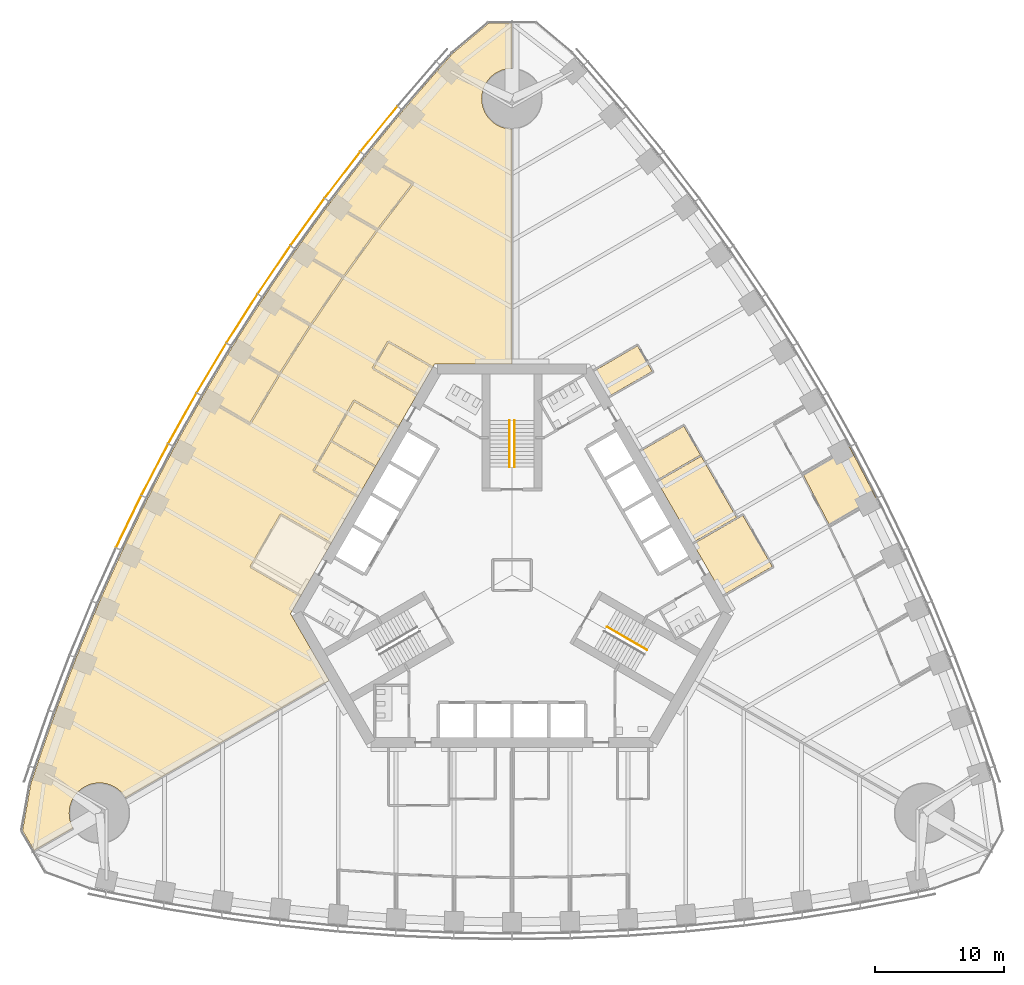
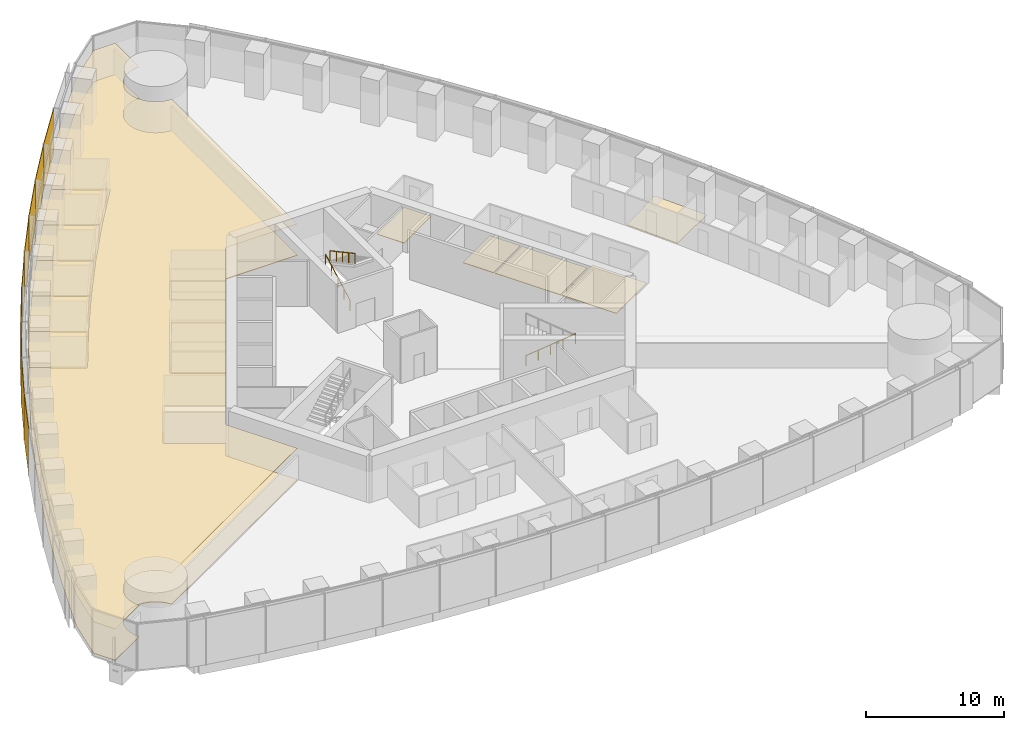
# One storey, part 15 of 18: 15 coverings, 9 shading devices, 3 railings.
"""IFC4 building model written with IfcOpenShell, lengths in metres."""

from ifc_helpers import new_model, si_unit, direction, frame, origin, origin_2d, place, context, subcontext, project, spatial, polyline, rectangle, circle, outline, extrude, material, layer, layer_set, type_object, element, save


model = new_model("IFC4")

# Units and contexts
model_context = context("Model", 3, precision=1e-05, world=origin(), true_north=direction((0.0, 1.0)))
body_context = subcontext(model_context, "Body", "Model", "MODEL_VIEW")
ifc_project = project(units=[si_unit("LENGTHUNIT", "METRE"), si_unit("AREAUNIT", "SQUARE_METRE"), si_unit("VOLUMEUNIT", "CUBIC_METRE"), si_unit("PLANEANGLEUNIT", "RADIAN"), si_unit("MASSUNIT", "GRAM", prefix="KILO")], contexts=[model_context])

# Site, building, storey
site_placement = place(None, origin())
site = spatial("IfcSite", under=ifc_project, at=site_placement, CompositionType="ELEMENT")
building_placement = place(site_placement, origin())
building = spatial("IfcBuilding", under=site, at=building_placement, Name="Trefoil Bronze Tower", CompositionType="ELEMENT")
storey_placement = place(building_placement, frame((0.0, 0.0, 29.10009765625)))
storey = spatial("IfcBuildingStorey", under=building, at=storey_placement, Name="L06", CompositionType="ELEMENT", Elevation=29.10009765625)

# Shading devices
ifc_material_1 = material(Name="Perforated bronze sheet", Category="bronze")
ifc_layer_1 = layer(ifc_material_1, 0.0400390625)
ifc_layer_set_1 = layer_set([ifc_layer_1], Name="Bronze solar screen panel")
shading_device_type = type_object("IfcShadingDeviceType", Name="Bronze solar screen panel", PredefinedType="SHUTTER", material=ifc_layer_set_1)
shading_device_1_placement = place(storey_placement, frame((-10.338623046875, 34.6474609375, 0.0498046875), z_axis=(0.0, 0.0, 1.0), x_axis=(-0.631810729457, -0.775122701346, 0.0)))
element("IfcShadingDevice", 1, at=shading_device_1_placement, inside=storey, type_object=shading_device_type, Name="Solar screen CW-A L06 F3 bay 3", PredefinedType="SHUTTER", context=body_context, shape_type="SweptSolid", body=[
    extrude(rectangle(XDim=4.5283203125, YDim=0.0400390625, at=origin_2d()), origin(), (0.0, 0.0, 1.0), 4.10009765625),
])
shading_device_2_placement = place(storey_placement, frame((-13.170166015625, 31.06787109375, 0.0498046875), z_axis=(0.0, 0.0, 1.0), x_axis=(-0.608807670879, -0.793317855515, 0.0)))
element("IfcShadingDevice", 2, at=shading_device_2_placement, inside=storey, type_object=shading_device_type, Name="Solar screen CW-A L06 F3 bay 4", PredefinedType="SHUTTER", context=body_context, shape_type="SweptSolid", body=[
    extrude(rectangle(XDim=4.5087890625, YDim=0.0400390625, at=origin_2d()), origin(), (0.0, 0.0, 1.0), 4.10009765625),
])
shading_device_3_placement = place(storey_placement, frame((-15.88525390625, 27.421142578125, 0.0498046875), z_axis=(0.0, 0.0, 1.0), x_axis=(-0.585372522213, -0.810764460394, 0.0)))
element("IfcShadingDevice", 3, at=shading_device_3_placement, inside=storey, type_object=shading_device_type, Name="Solar screen CW-A L06 F3 bay 5", PredefinedType="SHUTTER", context=body_context, shape_type="SweptSolid", body=[
    extrude(rectangle(XDim=4.493408203125, YDim=0.0400390625, at=origin_2d()), origin(), (0.0, 0.0, 1.0), 4.10009765625),
])
shading_device_4_placement = place(storey_placement, frame((-18.48486328125, 23.707763671875, 0.0498046875), z_axis=(0.0, 0.0, 1.0), x_axis=(-0.56150968077, -0.827470167681, 0.0)))
element("IfcShadingDevice", 4, at=shading_device_4_placement, inside=storey, type_object=shading_device_type, Name="Solar screen CW-A L06 F3 bay 6", PredefinedType="SHUTTER", context=body_context, shape_type="SweptSolid", body=[
    extrude(rectangle(XDim=4.48193359375, YDim=0.0400390625, at=origin_2d()), origin(), (0.0, 0.0, 1.0), 4.10009765625),
])
shading_device_5_placement = place(storey_placement, frame((-20.97021484375, 19.928466796875, 0.0498046875), z_axis=(0.0, 0.0, 1.0), x_axis=(-0.537222392469, -0.843440632783, 0.0)))
element("IfcShadingDevice", 5, at=shading_device_5_placement, inside=storey, type_object=shading_device_type, Name="Solar screen CW-A L06 F3 bay 7", PredefinedType="SHUTTER", context=body_context, shape_type="SweptSolid", body=[
    extrude(rectangle(XDim=4.474365234375, YDim=0.0400390625, at=origin_2d()), origin(), (0.0, 0.0, 1.0), 4.10009765625),
])
for number, where, z_axis, x_axis, name in (
    (6, (-23.341552734375, 16.083251953125, 0.0498046875), (0.0, 0.0, 1.0), (-0.51251279404, -0.858679588639, 0.0), "Solar screen CW-A L06 F3 bay 8"),
    (7, (-25.599365234375, 12.172607421875, 0.0498046875), (0.0, 0.0, 1.0), (-0.487381940453, -0.873188893722, 0.0), "Solar screen CW-A L06 F3 bay 9"),
):
    element("IfcShadingDevice", number, at=place(storey_placement, frame(where, z_axis=z_axis, x_axis=x_axis)), inside=storey, type_object=shading_device_type, Name=name, PredefinedType="SHUTTER", context=body_context, shape_type="SweptSolid", body=[
        extrude(rectangle(XDim=4.470458984375, YDim=0.0400390625, at=origin_2d()), origin(), (0.0, 0.0, 1.0), 4.10009765625),
    ])
shading_device_6_placement = place(storey_placement, frame((-27.74365234375, 8.1962890625, 0.0498046875), z_axis=(0.0, 0.0, 1.0), x_axis=(-0.46182981834, -0.886968555752, 0.0)))
element("IfcShadingDevice", 8, at=shading_device_6_placement, inside=storey, type_object=shading_device_type, Name="Solar screen CW-A L06 F3 bay 10", PredefinedType="SHUTTER", context=body_context, shape_type="SweptSolid", body=[
    extrude(rectangle(XDim=4.474365234375, YDim=0.0400390625, at=origin_2d()), origin(), (0.0, 0.0, 1.0), 4.10009765625),
])
shading_device_7_placement = place(storey_placement, frame((-29.77392578125, 4.154541015625, 0.0498046875), z_axis=(0.0, 0.0, 1.0), x_axis=(-0.4358553457, -0.900016731858, 0.0)))
element("IfcShadingDevice", 9, at=shading_device_7_placement, inside=storey, type_object=shading_device_type, Name="Solar screen CW-A L06 F3 bay 11", PredefinedType="SHUTTER", context=body_context, shape_type="SweptSolid", body=[
    extrude(rectangle(XDim=4.48193359375, YDim=0.0400390625, at=origin_2d()), origin(), (0.0, 0.0, 1.0), 4.10009765625),
])

# Railings
ifc_material_2 = material(Name="Steel handrail", Category="steel")
railing_type = type_object("IfcRailingType", Name="Handrail 900", PredefinedType="HANDRAIL", material=ifc_material_2)
railing_1_placement = place(storey_placement, frame((7.365966796875, -4.021728515625, 0.161376953125)))
element("IfcRailing", 10, at=railing_1_placement, inside=storey, type_object=railing_type, Name="Handrail ST1 flight 1 L06", PredefinedType="HANDRAIL", context=body_context, shape_type="SweptSolid", body=[
    extrude(circle(Radius=0.02392578125, at=origin_2d()), frame((0.0, 0.0, 0.8759765625), z_axis=(0.76250339821, -0.440245697338, 0.474101564745), x_axis=(0.500012057535, 0.866018442252, 0.0)), (0.0, 0.0, 1.0), 4.088623046875),
    extrude(circle(Radius=0.02099609375, at=origin_2d()), origin(), (0.0, 0.0, 1.0), 0.851806640625),
    extrude(circle(Radius=0.02099609375, at=origin_2d()), frame((0.779296875, -0.449951171875, 0.484619140625)), (0.0, 0.0, 1.0), 0.851806640625),
    extrude(circle(Radius=0.02099609375, at=origin_2d()), frame((1.558837890625, -0.89990234375, 0.96923828125)), (0.0, 0.0, 1.0), 0.851806640625),
    extrude(circle(Radius=0.02099609375, at=origin_2d()), frame((2.33837890625, -1.35009765625, 1.453857421875)), (0.0, 0.0, 1.0), 0.851806640625),
    extrude(circle(Radius=0.02099609375, at=origin_2d()), frame((3.11767578125, -1.800048828125, 1.9384765625)), (0.0, 0.0, 1.0), 0.851806640625),
])
railing_2_placement = place(storey_placement, frame((-0.199951171875, 8.389892578125, 0.161376953125)))
element("IfcRailing", 11, at=railing_2_placement, inside=storey, type_object=railing_type, Name="Handrail ST2 flight 1 L06", PredefinedType="HANDRAIL", context=body_context, shape_type="SweptSolid", body=[
    extrude(circle(Radius=0.02392578125, at=origin_2d()), frame((0.0, 0.0, 0.8759765625), z_axis=(0.0, 0.880474934443, 0.474092701714), x_axis=(-1.0, 0.0, 0.0)), (0.0, 0.0, 1.0), 4.0888671875),
    extrude(circle(Radius=0.02099609375, at=origin_2d()), origin(), (0.0, 0.0, 1.0), 0.851806640625),
    extrude(circle(Radius=0.02099609375, at=origin_2d()), frame((0.0, 0.89990234375, 0.484619140625)), (0.0, 0.0, 1.0), 0.851806640625),
    extrude(circle(Radius=0.02099609375, at=origin_2d()), frame((0.0, 1.800048828125, 0.96923828125)), (0.0, 0.0, 1.0), 0.851806640625),
    extrude(circle(Radius=0.02099609375, at=origin_2d()), frame((0.0, 2.7001953125, 1.453857421875)), (0.0, 0.0, 1.0), 0.851806640625),
    extrude(circle(Radius=0.02099609375, at=origin_2d()), frame((0.0, 3.60009765625, 1.9384765625)), (0.0, 0.0, 1.0), 0.851806640625),
])
railing_3_placement = place(storey_placement, frame((0.199951171875, 11.989990234375, 2.261474609375)))
element("IfcRailing", 12, at=railing_3_placement, inside=storey, type_object=railing_type, Name="Handrail ST2 flight 2 L06", PredefinedType="HANDRAIL", context=body_context, shape_type="SweptSolid", body=[
    extrude(circle(Radius=0.02392578125, at=origin_2d()), frame((0.0, 0.0, 0.8759765625), z_axis=(0.0, -0.880474934443, 0.474092701714), x_axis=(1.0, 0.0, 0.0)), (0.0, 0.0, 1.0), 4.0888671875),
    extrude(circle(Radius=0.02099609375, at=origin_2d()), origin(), (0.0, 0.0, 1.0), 0.851806640625),
    extrude(circle(Radius=0.02099609375, at=origin_2d()), frame((0.0, -0.89990234375, 0.484619140625)), (0.0, 0.0, 1.0), 0.851806640625),
    extrude(circle(Radius=0.02099609375, at=origin_2d()), frame((0.0, -1.800048828125, 0.96923828125)), (0.0, 0.0, 1.0), 0.851806640625),
    extrude(circle(Radius=0.02099609375, at=origin_2d()), frame((0.0, -2.7001953125, 1.453857421875)), (0.0, 0.0, 1.0), 0.851806640625),
    extrude(circle(Radius=0.02099609375, at=origin_2d()), frame((0.0, -3.60009765625, 1.9384765625)), (0.0, 0.0, 1.0), 0.851806640625),
])

# Coverings
ifc_material_3 = material(Name="Acoustic ceiling panels", Category="mineral fibre")
ifc_layer_2 = layer(ifc_material_3, 0.02001953125)
ifc_layer_set_2 = layer_set([ifc_layer_2], Name="Office ceiling 20")
covering_type_1 = type_object("IfcCoveringType", Name="Office ceiling 20", PredefinedType="CEILING", material=ifc_layer_set_2)
covering_1_placement = place(storey_placement, frame((0.0, 0.0, 2.89990234375)))
element("IfcCovering", 13, at=covering_1_placement, inside=storey, type_object=covering_type_1, Name="Ceiling L06 Open-plan office F3", PredefinedType="CEILING", context=body_context, shape_type="SweptSolid", body=[
    extrude(outline(polyline([(-36.9814453125, -15.021728515625), (-35.47998046875, -10.6923828125), (-33.860107421875, -6.431640625), (-32.123291015625, -2.23828125), (-30.271240234375, 1.888671875), (-28.3046875, 5.949462890625), (-26.224609375, 9.944580078125), (-24.031005859375, 13.87451171875), (-21.724609375, 17.73876953125), (-19.3046875, 21.537841796875), (-16.771240234375, 25.271484375), (-14.123291015625, 28.938720703125), (-11.360107421875, 32.53955078125), (-8.47998046875, 36.072998046875), (-5.4814453125, 39.537841796875), (-4.618896484375, 40.497314453125), (-1.82421875, 42.84228515625), (-0.01611328125, 42.84228515625), (-0.014892578125, 39.349609375), (-0.115234375, 39.34716796875), (-0.230224609375, 39.338623046875), (-0.3447265625, 39.32470703125), (-0.45849609375, 39.3046875), (-0.571044921875, 39.279541015625), (-0.68212890625, 39.248779296875), (-0.791748046875, 39.212646484375), (-0.8994140625, 39.171142578125), (-1.0048828125, 39.12451171875), (-1.10791015625, 39.072509765625), (-1.2080078125, 39.015625), (-1.3056640625, 38.9541015625), (-1.39990234375, 38.887451171875), (-1.49072265625, 38.816650390625), (-1.578125, 38.7412109375), (-1.66162109375, 38.66162109375), (-1.7412109375, 38.578125), (-1.816650390625, 38.49072265625), (-1.887451171875, 38.39990234375), (-1.9541015625, 38.3056640625), (-2.015625, 38.2080078125), (-2.072509765625, 38.10791015625), (-2.12451171875, 38.0048828125), (-2.171142578125, 37.8994140625), (-2.212646484375, 37.791748046875), (-2.248779296875, 37.68212890625), (-2.279541015625, 37.571044921875), (-2.3046875, 37.45849609375), (-2.32470703125, 37.3447265625), (-2.338623046875, 37.230224609375), (-2.34716796875, 37.115234375), (-2.35009765625, 37.0), (-2.34716796875, 36.884765625), (-2.338623046875, 36.769775390625), (-2.32470703125, 36.6552734375), (-2.3046875, 36.54150390625), (-2.279541015625, 36.428955078125), (-2.248779296875, 36.31787109375), (-2.212646484375, 36.208251953125), (-2.171142578125, 36.1005859375), (-2.12451171875, 35.9951171875), (-2.072509765625, 35.89208984375), (-2.015625, 35.7919921875), (-1.9541015625, 35.6943359375), (-1.887451171875, 35.60009765625), (-1.816650390625, 35.50927734375), (-1.7412109375, 35.421875), (-1.66162109375, 35.33837890625), (-1.578125, 35.2587890625), (-1.49072265625, 35.183349609375), (-1.39990234375, 35.112548828125), (-1.3056640625, 35.0458984375), (-1.2080078125, 34.984375), (-1.10791015625, 34.927490234375), (-1.0048828125, 34.87548828125), (-0.8994140625, 34.828857421875), (-0.791748046875, 34.787353515625), (-0.68212890625, 34.751220703125), (-0.571044921875, 34.720458984375), (-0.45849609375, 34.6953125), (-0.3447265625, 34.67529296875), (-0.230224609375, 34.661376953125), (-0.115234375, 34.65283203125), (-0.012939453125, 34.650390625), (-0.006103515625, 16.39990234375), (-6.00439453125, 16.39990234375), (-17.205078125, -3.0), (-14.205810546875, -8.194580078125), (-30.0146484375, -17.31396484375), (-30.02734375, -17.2919921875), (-30.089111328125, -17.1943359375), (-30.155517578125, -17.10009765625), (-30.226318359375, -17.00927734375), (-30.3017578125, -16.921875), (-30.381103515625, -16.83837890625), (-30.46484375, -16.7587890625), (-30.552001953125, -16.683349609375), (-30.64306640625, -16.612548828125), (-30.7373046875, -16.5458984375), (-30.834716796875, -16.484375), (-30.935302734375, -16.427490234375), (-31.0380859375, -16.37548828125), (-31.1435546875, -16.328857421875), (-31.251220703125, -16.287353515625), (-31.36083984375, -16.251220703125), (-31.471923828125, -16.220458984375), (-31.58447265625, -16.1953125), (-31.697998046875, -16.17529296875), (-31.8125, -16.161376953125), (-31.927490234375, -16.15283203125), (-32.04296875, -16.14990234375), (-32.158203125, -16.15283203125), (-32.273193359375, -16.161376953125), (-32.3876953125, -16.17529296875), (-32.50146484375, -16.1953125), (-32.614013671875, -16.220458984375), (-32.72509765625, -16.251220703125), (-32.834716796875, -16.287353515625), (-32.942138671875, -16.328857421875), (-33.047607421875, -16.37548828125), (-33.150634765625, -16.427490234375), (-33.251220703125, -16.484375), (-33.348388671875, -16.5458984375), (-33.44287109375, -16.612548828125), (-33.53369140625, -16.683349609375), (-33.62109375, -16.7587890625), (-33.70458984375, -16.83837890625), (-33.7841796875, -16.921875), (-33.859619140625, -17.00927734375), (-33.930419921875, -17.10009765625), (-33.996826171875, -17.1943359375), (-34.05859375, -17.2919921875), (-34.115478515625, -17.39208984375), (-34.167236328125, -17.4951171875), (-34.214111328125, -17.6005859375), (-34.255615234375, -17.708251953125), (-34.291748046875, -17.81787109375), (-34.322509765625, -17.928955078125), (-34.347900390625, -18.04150390625), (-34.367431640625, -18.1552734375), (-34.381591796875, -18.269775390625), (-34.39013671875, -18.384765625), (-34.392822265625, -18.5), (-34.39013671875, -18.615234375), (-34.381591796875, -18.730224609375), (-34.367431640625, -18.8447265625), (-34.347900390625, -18.95849609375), (-34.322509765625, -19.071044921875), (-34.291748046875, -19.18212890625), (-34.255615234375, -19.291748046875), (-34.214111328125, -19.3994140625), (-34.167236328125, -19.5048828125), (-34.115478515625, -19.60791015625), (-34.084716796875, -19.661865234375), (-37.110595703125, -21.4072265625), (-38.0146484375, -19.841552734375), (-37.381103515625, -16.248779296875), (-36.9814453125, -15.021728515625)])), origin(), (0.0, 0.0, 1.0), 0.02001953125),
])
ifc_material_4 = material(Name="Raised access floor panels", Category="steel")
ifc_layer_3 = layer(ifc_material_4, 0.050048828125)
ifc_layer_set_3 = layer_set([ifc_layer_3], Name="Raised access floor 150")
covering_type_2 = type_object("IfcCoveringType", Name="Raised access floor 150", PredefinedType="FLOORING", material=ifc_layer_set_3)
covering_2_placement = place(storey_placement, frame((0.0, 0.0, 0.099853515625)))
element("IfcCovering", 14, at=covering_2_placement, inside=storey, type_object=covering_type_2, Name="Raised floor L06 Reception F2", PredefinedType="FLOORING", context=body_context, shape_type="SweptSolid", body=[
    extrude(outline(polyline([(14.084716796875, 2.404541015625), (17.929931640625, 4.62451171875), (20.219970703125, 0.658203125), (16.374755859375, -1.56201171875), (14.084716796875, 2.404541015625)])), origin(), (0.0, 0.0, 1.0), 0.050048828125),
])
covering_3_placement = place(storey_placement, frame((0.0, 0.0, 0.099853515625)))
element("IfcCovering", 15, at=covering_3_placement, inside=storey, type_object=covering_type_2, Name="Raised floor L06 Meeting room F2", PredefinedType="FLOORING", context=body_context, shape_type="SweptSolid", body=[
    extrude(outline(polyline([(11.28466796875, 7.25439453125), (14.697021484375, 9.224365234375), (17.43701171875, 4.478515625), (14.024658203125, 2.50830078125), (11.28466796875, 7.25439453125)])), origin(), (0.0, 0.0, 1.0), 0.050048828125),
])
covering_4_placement = place(storey_placement, frame((0.0, 0.0, 0.099853515625)))
element("IfcCovering", 16, at=covering_4_placement, inside=storey, type_object=covering_type_2, Name="Raised floor L06 Pantry F2", PredefinedType="FLOORING", context=body_context, shape_type="SweptSolid", body=[
    extrude(outline(polyline([(9.934814453125, 9.592529296875), (13.346923828125, 11.5625), (14.636962890625, 9.328125), (11.224609375, 7.358154296875), (9.934814453125, 9.592529296875)])), origin(), (0.0, 0.0, 1.0), 0.050048828125),
])
covering_5_placement = place(storey_placement, frame((0.0, 0.0, 0.099853515625)))
element("IfcCovering", 17, at=covering_5_placement, inside=storey, type_object=covering_type_2, Name="Raised floor L06 Comms room F2", PredefinedType="FLOORING", context=body_context, shape_type="SweptSolid", body=[
    extrude(outline(polyline([(6.334716796875, 15.827880859375), (9.746826171875, 17.7978515625), (10.886962890625, 15.823486328125), (7.474609375, 13.853515625), (6.334716796875, 15.827880859375)])), origin(), (0.0, 0.0, 1.0), 0.050048828125),
])
covering_6_placement = place(storey_placement, frame((0.0, 0.0, 0.099853515625)))
element("IfcCovering", 18, at=covering_6_placement, inside=storey, type_object=covering_type_2, Name="Raised floor L06 Office F2", PredefinedType="FLOORING", context=body_context, shape_type="SweptSolid", body=[
    extrude(outline(polyline([(26.224609375, 9.944580078125), (28.3046875, 5.949462890625), (26.93408203125, 5.158203125), (26.904052734375, 5.210205078125), (24.6484375, 3.90771484375), (22.623779296875, 7.79638671875), (24.885498046875, 9.102294921875), (24.855712890625, 9.154296875), (26.224609375, 9.944580078125)])), origin(), (0.0, 0.0, 1.0), 0.050048828125),
])
covering_7_placement = place(storey_placement, frame((0.0, 0.0, 0.099853515625)))
element("IfcCovering", 19, at=covering_7_placement, inside=storey, type_object=covering_type_2, Name="Raised floor L06 Meeting room F3", PredefinedType="FLOORING", context=body_context, shape_type="SweptSolid", body=[
    extrude(outline(polyline([(-10.57470703125, 8.48388671875), (-13.98681640625, 10.4541015625), (-12.246826171875, 13.4677734375), (-8.834716796875, 11.497802734375), (-10.57470703125, 8.48388671875)])), origin(), (0.0, 0.0, 1.0), 0.050048828125),
])
covering_8_placement = place(storey_placement, frame((0.0, 0.0, 0.099853515625)))
element("IfcCovering", 20, at=covering_8_placement, inside=storey, type_object=covering_type_2, Name="Raised floor L06 Pantry F3", PredefinedType="FLOORING", context=body_context, shape_type="SweptSolid", body=[
    extrude(outline(polyline([(-11.9248046875, 6.145751953125), (-15.3369140625, 8.11572265625), (-14.046875, 10.35009765625), (-10.634765625, 8.380126953125), (-11.9248046875, 6.145751953125)])), origin(), (0.0, 0.0, 1.0), 0.050048828125),
])
covering_9_placement = place(storey_placement, frame((0.0, 0.0, 0.099853515625)))
element("IfcCovering", 21, at=covering_9_placement, inside=storey, type_object=covering_type_2, Name="Raised floor L06 Comms room F3", PredefinedType="FLOORING", context=body_context, shape_type="SweptSolid", body=[
    extrude(outline(polyline([(-7.32470703125, 14.11328125), (-10.73681640625, 16.083251953125), (-9.596923828125, 18.0576171875), (-6.184814453125, 16.087646484375), (-7.32470703125, 14.11328125)])), origin(), (0.0, 0.0, 1.0), 0.050048828125),
])
covering_10_placement = place(storey_placement, frame((0.0, 0.0, 0.099853515625)))
element("IfcCovering", 22, at=covering_10_placement, inside=storey, type_object=covering_type_2, Name="Raised floor L06 Office F3", PredefinedType="FLOORING", context=body_context, shape_type="SweptSolid", body=[
    extrude(outline(polyline([(-14.123291015625, 28.938720703125), (-11.360107421875, 32.53955078125), (-9.977294921875, 31.7412109375), (-10.007080078125, 31.689208984375), (-7.768798828125, 30.396728515625), (-10.45849609375, 26.89208984375), (-12.7158203125, 28.1953125), (-12.745849609375, 28.143310546875), (-14.123291015625, 28.938720703125)])), origin(), (0.0, 0.0, 1.0), 0.050048828125),
])
covering_11_placement = place(storey_placement, frame((0.0, 0.0, 0.099853515625)))
element("IfcCovering", 23, at=covering_11_placement, inside=storey, type_object=covering_type_2, Name="Raised floor L06 Office F3", PredefinedType="FLOORING", context=body_context, shape_type="SweptSolid", body=[
    extrude(outline(polyline([(-14.123291015625, 28.938720703125), (-12.745849609375, 28.143310546875), (-12.77587890625, 28.091552734375), (-10.5302734375, 26.794921875), (-13.107666015625, 23.225341796875), (-15.367919921875, 24.5302734375), (-15.397705078125, 24.478515625), (-16.771240234375, 25.271484375), (-14.123291015625, 28.938720703125)])), origin(), (0.0, 0.0, 1.0), 0.050048828125),
])
covering_12_placement = place(storey_placement, frame((0.0, 0.0, 0.099853515625)))
element("IfcCovering", 24, at=covering_12_placement, inside=storey, type_object=covering_type_2, Name="Raised floor L06 Office F3", PredefinedType="FLOORING", context=body_context, shape_type="SweptSolid", body=[
    extrude(outline(polyline([(-19.3046875, 21.537841796875), (-16.771240234375, 25.271484375), (-15.397705078125, 24.478515625), (-15.427734375, 24.426513671875), (-13.176513671875, 23.126708984375), (-15.642578125, 19.492919921875), (-17.904052734375, 20.798583984375), (-17.93408203125, 20.74658203125), (-19.3046875, 21.537841796875)])), origin(), (0.0, 0.0, 1.0), 0.050048828125),
])
covering_13_placement = place(storey_placement, frame((0.0, 0.0, 0.099853515625)))
element("IfcCovering", 25, at=covering_13_placement, inside=storey, type_object=covering_type_2, Name="Raised floor L06 Office F3", PredefinedType="FLOORING", context=body_context, shape_type="SweptSolid", body=[
    extrude(outline(polyline([(-19.3046875, 21.537841796875), (-17.93408203125, 20.74658203125), (-17.964111328125, 20.694580078125), (-15.70849609375, 19.392333984375), (-18.063720703125, 15.694580078125), (-20.32568359375, 17.00048828125), (-20.355712890625, 16.948486328125), (-21.724609375, 17.73876953125), (-19.3046875, 21.537841796875)])), origin(), (0.0, 0.0, 1.0), 0.050048828125),
])
covering_14_placement = place(storey_placement, frame((0.0, 0.0, 0.099853515625)))
element("IfcCovering", 26, at=covering_14_placement, inside=storey, type_object=covering_type_2, Name="Raised floor L06 Meeting room F3", PredefinedType="FLOORING", context=body_context, shape_type="SweptSolid", body=[
    extrude(outline(polyline([(-24.031005859375, 13.87451171875), (-21.724609375, 17.73876953125), (-20.355712890625, 16.948486328125), (-20.385498046875, 16.896484375), (-18.126708984375, 15.59228515625), (-20.37158203125, 11.830810546875), (-22.6328125, 13.13623046875), (-22.662841796875, 13.08447265625), (-24.031005859375, 13.87451171875)])), origin(), (0.0, 0.0, 1.0), 0.050048828125),
])
covering_15_placement = place(storey_placement, frame((0.0, 0.0, 0.099853515625)))
element("IfcCovering", 27, at=covering_15_placement, inside=storey, type_object=covering_type_2, Name="Raised floor L06 Open-plan office F3", PredefinedType="FLOORING", context=body_context, shape_type="SweptSolid", body=[
    extrude(outline(polyline([(-26.224609375, 9.944580078125), (-24.031005859375, 13.87451171875), (-22.662841796875, 13.08447265625), (-22.69287109375, 13.032470703125), (-20.380615234375, 11.697509765625), (-20.3505859375, 11.74951171875), (-20.299072265625, 11.718505859375), (-17.992919921875, 15.582275390625), (-15.573974609375, 19.3798828125), (-13.04150390625, 23.11181640625), (-10.394775390625, 26.77783203125), (-7.6318359375, 30.3779296875), (-7.679443359375, 30.41455078125), (-7.6494140625, 30.466552734375), (-9.947265625, 31.793212890625), (-9.977294921875, 31.7412109375), (-11.360107421875, 32.53955078125), (-8.47998046875, 36.072998046875), (-5.4814453125, 39.537841796875), (-4.618896484375, 40.497314453125), (-1.82421875, 42.84228515625), (-0.01611328125, 42.84228515625), (-0.014892578125, 39.349609375), (-0.115234375, 39.34716796875), (-0.230224609375, 39.338623046875), (-0.3447265625, 39.32470703125), (-0.45849609375, 39.3046875), (-0.571044921875, 39.279541015625), (-0.68212890625, 39.248779296875), (-0.791748046875, 39.212646484375), (-0.8994140625, 39.171142578125), (-1.0048828125, 39.12451171875), (-1.10791015625, 39.072509765625), (-1.2080078125, 39.015625), (-1.3056640625, 38.9541015625), (-1.39990234375, 38.887451171875), (-1.49072265625, 38.816650390625), (-1.578125, 38.7412109375), (-1.66162109375, 38.66162109375), (-1.7412109375, 38.578125), (-1.816650390625, 38.49072265625), (-1.887451171875, 38.39990234375), (-1.9541015625, 38.3056640625), (-2.015625, 38.2080078125), (-2.072509765625, 38.10791015625), (-2.12451171875, 38.0048828125), (-2.171142578125, 37.8994140625), (-2.212646484375, 37.791748046875), (-2.248779296875, 37.68212890625), (-2.279541015625, 37.571044921875), (-2.3046875, 37.45849609375), (-2.32470703125, 37.3447265625), (-2.338623046875, 37.230224609375), (-2.34716796875, 37.115234375), (-2.35009765625, 37.0), (-2.34716796875, 36.884765625), (-2.338623046875, 36.769775390625), (-2.32470703125, 36.6552734375), (-2.3046875, 36.54150390625), (-2.279541015625, 36.428955078125), (-2.248779296875, 36.31787109375), (-2.212646484375, 36.208251953125), (-2.171142578125, 36.1005859375), (-2.12451171875, 35.9951171875), (-2.072509765625, 35.89208984375), (-2.015625, 35.7919921875), (-1.9541015625, 35.6943359375), (-1.887451171875, 35.60009765625), (-1.816650390625, 35.50927734375), (-1.7412109375, 35.421875), (-1.66162109375, 35.33837890625), (-1.578125, 35.2587890625), (-1.49072265625, 35.183349609375), (-1.39990234375, 35.112548828125), (-1.3056640625, 35.0458984375), (-1.2080078125, 34.984375), (-1.10791015625, 34.927490234375), (-1.0048828125, 34.87548828125), (-0.8994140625, 34.828857421875), (-0.791748046875, 34.787353515625), (-0.68212890625, 34.751220703125), (-0.571044921875, 34.720458984375), (-0.45849609375, 34.6953125), (-0.3447265625, 34.67529296875), (-0.230224609375, 34.661376953125), (-0.115234375, 34.65283203125), (-0.012939453125, 34.650390625), (-0.006103515625, 16.39990234375), (-6.00439453125, 16.39990234375), (-6.124755859375, 16.191650390625), (-9.5888671875, 18.191650390625), (-9.618896484375, 18.1396484375), (-9.6708984375, 18.169677734375), (-10.870849609375, 16.09130859375), (-10.81884765625, 16.061279296875), (-10.848876953125, 16.00927734375), (-7.384765625, 14.00927734375), (-8.774658203125, 11.601806640625), (-12.23876953125, 13.601806640625), (-12.268798828125, 13.5498046875), (-12.32080078125, 13.57958984375), (-15.470703125, 8.123779296875), (-15.418701171875, 8.09375), (-15.44873046875, 8.041748046875), (-11.984619140625, 6.041748046875), (-14.024658203125, 2.50830078125), (-17.921875, 4.75830078125), (-17.951904296875, 4.70654296875), (-18.00390625, 4.736572265625), (-20.353759765625, 0.666259765625), (-20.302001953125, 0.63623046875), (-20.331787109375, 0.584228515625), (-16.434814453125, -1.665771484375), (-17.205078125, -3.0), (-14.205810546875, -8.194580078125), (-30.0146484375, -17.31396484375), (-30.02734375, -17.2919921875), (-30.089111328125, -17.1943359375), (-30.155517578125, -17.10009765625), (-30.226318359375, -17.00927734375), (-30.3017578125, -16.921875), (-30.381103515625, -16.83837890625), (-30.46484375, -16.7587890625), (-30.552001953125, -16.683349609375), (-30.64306640625, -16.612548828125), (-30.7373046875, -16.5458984375), (-30.834716796875, -16.484375), (-30.935302734375, -16.427490234375), (-31.0380859375, -16.37548828125), (-31.1435546875, -16.328857421875), (-31.251220703125, -16.287353515625), (-31.36083984375, -16.251220703125), (-31.471923828125, -16.220458984375), (-31.58447265625, -16.1953125), (-31.697998046875, -16.17529296875), (-31.8125, -16.161376953125), (-31.927490234375, -16.15283203125), (-32.04296875, -16.14990234375), (-32.158203125, -16.15283203125), (-32.273193359375, -16.161376953125), (-32.3876953125, -16.17529296875), (-32.50146484375, -16.1953125), (-32.614013671875, -16.220458984375), (-32.72509765625, -16.251220703125), (-32.834716796875, -16.287353515625), (-32.942138671875, -16.328857421875), (-33.047607421875, -16.37548828125), (-33.150634765625, -16.427490234375), (-33.251220703125, -16.484375), (-33.348388671875, -16.5458984375), (-33.44287109375, -16.612548828125), (-33.53369140625, -16.683349609375), (-33.62109375, -16.7587890625), (-33.70458984375, -16.83837890625), (-33.7841796875, -16.921875), (-33.859619140625, -17.00927734375), (-33.930419921875, -17.10009765625), (-33.996826171875, -17.1943359375), (-34.05859375, -17.2919921875), (-34.115478515625, -17.39208984375), (-34.167236328125, -17.4951171875), (-34.214111328125, -17.6005859375), (-34.255615234375, -17.708251953125), (-34.291748046875, -17.81787109375), (-34.322509765625, -17.928955078125), (-34.347900390625, -18.04150390625), (-34.367431640625, -18.1552734375), (-34.381591796875, -18.269775390625), (-34.39013671875, -18.384765625), (-34.392822265625, -18.5), (-34.39013671875, -18.615234375), (-34.381591796875, -18.730224609375), (-34.367431640625, -18.8447265625), (-34.347900390625, -18.95849609375), (-34.322509765625, -19.071044921875), (-34.291748046875, -19.18212890625), (-34.255615234375, -19.291748046875), (-34.214111328125, -19.3994140625), (-34.167236328125, -19.5048828125), (-34.115478515625, -19.60791015625), (-34.084716796875, -19.661865234375), (-37.110595703125, -21.4072265625), (-38.0146484375, -19.841552734375), (-37.381103515625, -16.248779296875), (-36.9814453125, -15.021728515625), (-35.47998046875, -10.6923828125), (-33.860107421875, -6.431640625), (-32.123291015625, -2.23828125), (-30.271240234375, 1.888671875), (-28.3046875, 5.949462890625), (-26.224609375, 9.944580078125)])), origin(), (0.0, 0.0, 1.0), 0.050048828125),
])

save(model, "model.ifc")
